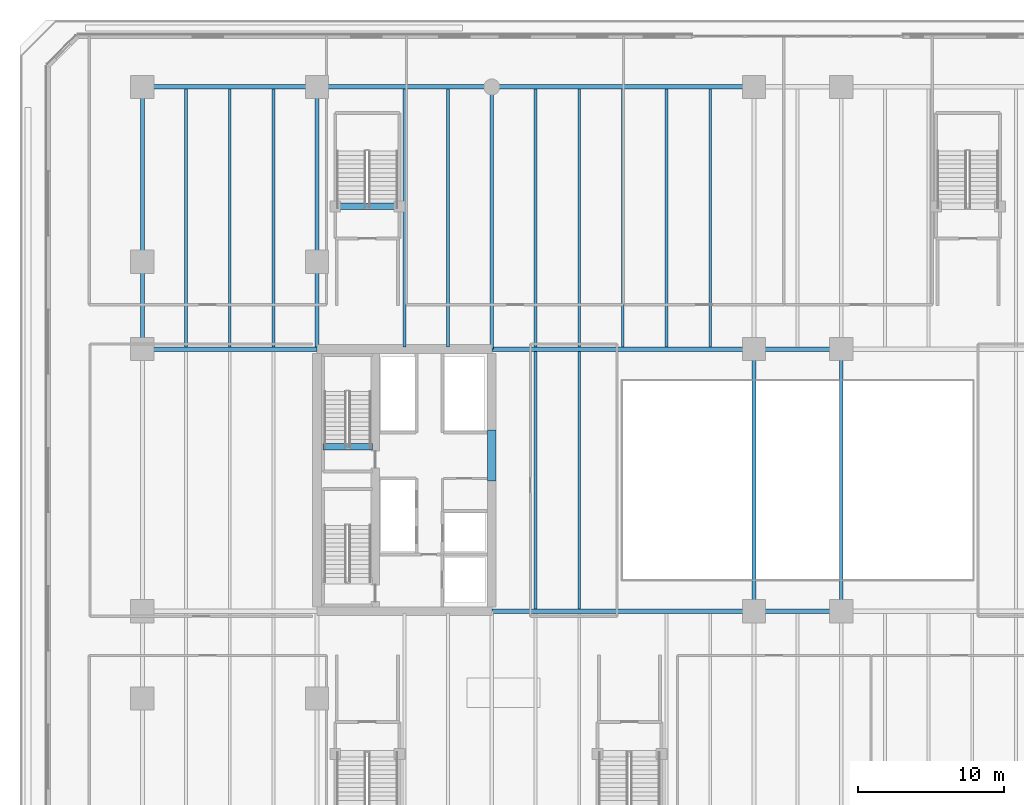
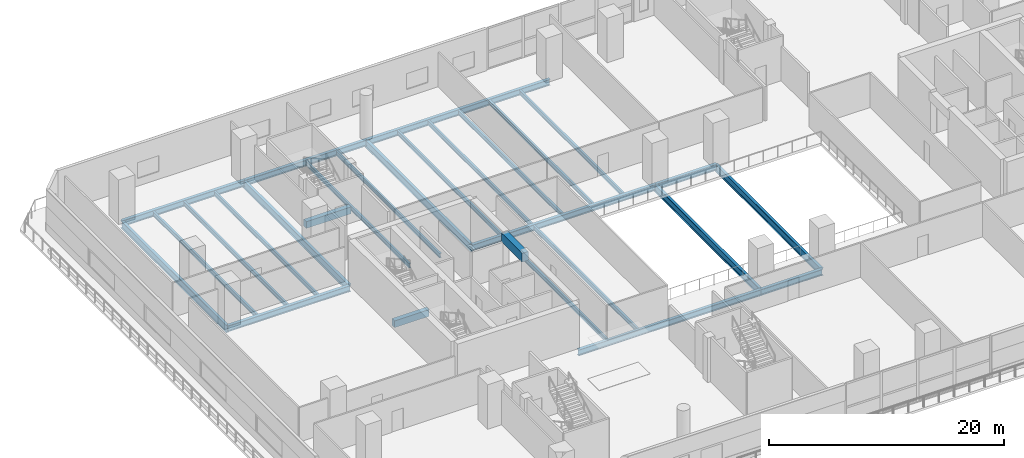
# One storey, part 5 of 27: 28 beams.
"""IFC4 building model written with IfcOpenShell, lengths in metres."""

import ifcopenshell
import ifcopenshell.guid

model = None  # the IFC model being written
_history = None  # IfcOwnerHistory: only IFC2X3 demands one
_inside = {}  # id of a spatial element -> (the spatial element, [elements in it])
_under = {}  # id of a project, library or spatial element -> (it, [spatial elements below it])
_declared = {}  # id of a project -> (the project, [libraries it declares])
_typed = {}  # id of a type object -> (the type object, [elements of that type])
_made_of = {}  # id of a material, layer set ... -> (it, [elements and type objects made of it])


def new_model(schema):
    """Start an empty IFC model of exactly this schema.

    Asked for "IFC4X3", IfcOpenShell would pick the latest addendum, in which some entities
    have other attributes; the version numbers below select the first issue.
    IFC2X3 requires an IfcOwnerHistory on every rooted entity: one is made here for all.
    """
    global model, _history
    if schema == "IFC4X3":
        model = ifcopenshell.file(schema_version=(4, 3, 0, 0))
    else:
        model = ifcopenshell.file(schema=schema)
    _inside.clear()
    _under.clear()
    _declared.clear()
    _typed.clear()
    _made_of.clear()
    _history = None
    if model.schema == "IFC2X3":
        org = make("IfcOrganization", Name="unknown")
        user = make(
            "IfcPersonAndOrganization",
            ThePerson=make("IfcPerson", FamilyName="unknown"),
            TheOrganization=org,
        )
        app = make(
            "IfcApplication",
            ApplicationDeveloper=org,
            Version="unknown",
            ApplicationFullName="unknown",
            ApplicationIdentifier="unknown",
        )
        _history = make(
            "IfcOwnerHistory",
            OwningUser=user,
            OwningApplication=app,
            ChangeAction="ADDED",
            CreationDate=0,
        )
    return model


def make(cls, **values):
    """One entity of the class cls with the attributes given. An attribute that is None is left unset."""
    return model.create_entity(
        cls, **{name: value for name, value in values.items() if value is not None}
    )


def rooted(cls, **values):
    """An entity with a GlobalId (a new one), such as an element, a storey or a relation."""
    return make(cls, GlobalId=ifcopenshell.guid.new(), OwnerHistory=_history, **values)


def si_unit(unit_type, name, prefix=None):
    """IfcSIUnit, for example si_unit("LENGTHUNIT", "METRE", prefix="MILLI")."""
    return make("IfcSIUnit", UnitType=unit_type, Prefix=prefix, Name=name)


def assignment(units):
    """IfcUnitAssignment: the units of a project."""
    return None if units is None else make("IfcUnitAssignment", Units=units)


def point(xyz):
    """IfcCartesianPoint."""
    return None if xyz is None else make("IfcCartesianPoint", Coordinates=xyz)


def direction(xyz):
    """IfcDirection."""
    return None if xyz is None else make("IfcDirection", DirectionRatios=xyz)


def frame(location, z_axis=None, x_axis=None):
    """IfcAxis2Placement3D, a coordinate frame: its origin and axes. An axis left out is left unset."""
    return make(
        "IfcAxis2Placement3D",
        Location=point(location),
        Axis=direction(z_axis),
        RefDirection=direction(x_axis),
    )


def frame_2d(location, x_axis=None):
    """IfcAxis2Placement2D, a coordinate frame in the plane: its origin and x axis."""
    return make(
        "IfcAxis2Placement2D", Location=point(location), RefDirection=direction(x_axis)
    )


def origin():
    """The frame at (0, 0, 0) with its axes left unset."""
    return frame((0.0, 0.0, 0.0))


def origin_2d():
    """The frame at (0, 0) in the plane with its x axis left unset."""
    return frame_2d((0.0, 0.0))


def place(relative_to, where):
    """IfcLocalPlacement: puts the frame where relative to a parent placement (None: the world)."""
    return make(
        "IfcLocalPlacement", PlacementRelTo=relative_to, RelativePlacement=where
    )


def context(
    kind, dimensions, precision=None, world=None, true_north=None, identifier=None
):
    """IfcGeometricRepresentationContext, for example the 3D "Model" context."""
    return make(
        "IfcGeometricRepresentationContext",
        ContextIdentifier=identifier,
        ContextType=kind,
        CoordinateSpaceDimension=dimensions,
        Precision=precision,
        WorldCoordinateSystem=world,
        TrueNorth=true_north,
    )


def subcontext(parent, identifier, kind, view, scale=None):
    """IfcGeometricRepresentationSubContext, for example "Body" below "Model"."""
    return make(
        "IfcGeometricRepresentationSubContext",
        ContextIdentifier=identifier,
        ContextType=kind,
        ParentContext=parent,
        TargetScale=scale,
        TargetView=view,
    )


def project(units=None, contexts=None):
    """IfcProject with its units and contexts."""
    return rooted(
        "IfcProject",
        Name="project",
        RepresentationContexts=contexts,
        UnitsInContext=assignment(units),
    )


def spatial(cls, under=None, at=None, **own):
    """A site, building, storey or space (cls), placed at a placement, below another one or the project."""
    s = rooted(cls, ObjectPlacement=at, **own)
    if under is not None:
        _under.setdefault(under.id(), (under, []))[1].append(s)
    return s


def profile(cls, at=None, kind="AREA", **sizes):
    """A parametric profile (cls). Its sizes go by their IFC names, for example OverallWidth=200.0."""
    return make(cls, ProfileType=kind, Position=at, **sizes)


def rectangle(**sizes):
    """IfcRectangleProfileDef."""
    return profile("IfcRectangleProfileDef", **sizes)


def i_section(**sizes):
    """IfcIShapeProfileDef."""
    return profile("IfcIShapeProfileDef", **sizes)


def extrude(swept, where, along, depth):
    """IfcExtrudedAreaSolid: the profile swept, set in the frame where, extruded along a direction by depth."""
    return make(
        "IfcExtrudedAreaSolid",
        SweptArea=swept,
        Position=where,
        ExtrudedDirection=direction(along),
        Depth=depth,
    )


def shape(context_of_items, identifier, shape_type, items):
    """IfcShapeRepresentation: the items that make up one representation, for example the "Body"."""
    return make(
        "IfcShapeRepresentation",
        ContextOfItems=context_of_items,
        RepresentationIdentifier=identifier,
        RepresentationType=shape_type,
        Items=items,
    )


def material(Name=None, Category=None):
    """IfcMaterial."""
    return make("IfcMaterial", Name=Name, Category=Category)


def material_profile(
    of_material, cross_section, Name=None, Category=None, Priority=None
):
    """IfcMaterialProfile: a cross section and its material."""
    return make(
        "IfcMaterialProfile",
        Name=Name,
        Material=of_material,
        Profile=cross_section,
        Priority=Priority,
        Category=Category,
    )


def profile_set(profiles, Name=None, composite=None):
    """IfcMaterialProfileSet."""
    return make(
        "IfcMaterialProfileSet",
        Name=Name,
        MaterialProfiles=profiles,
        CompositeProfile=composite,
    )


def made_of(thing, what):
    """Note that an element or type object is made of a material, layer set ...; save() writes the relation."""
    if what is not None:
        _made_of.setdefault(what.id(), (what, []))[1].append(thing)
    return thing


def type_object(cls, material=None, **own):
    """A type object (cls), such as IfcWallType, which elements share."""
    return made_of(rooted(cls, **own), material)


def element(
    cls,
    number,
    at=None,
    inside=None,
    cuts=None,
    type_object=None,
    material=None,
    context=None,
    identifier="Body",
    shape_type=None,
    held_by="IfcProductDefinitionShape",
    body=None,
    shapes=None,
    **own,
):
    """One element of the class cls, such as IfcWall. Its Tag is "e" and its number.

    at: its placement. inside: the storey or other place that contains it. cuts: it is an
    opening in that element (IfcRelVoidsElement). A single representation is given by context,
    identifier, shape_type and body (its items); several are given by shapes. held_by: the class
    of the entity that holds the representations. save() writes the other relations.
    """
    e = rooted(cls, Tag="e%d" % number, ObjectPlacement=at, **own)
    if body is not None:
        shapes = [shape(context, identifier, shape_type, body)]
    if shapes is not None:
        e.Representation = make(held_by, Representations=shapes)
    if inside is not None:
        _inside.setdefault(inside.id(), (inside, []))[1].append(e)
    if cuts is not None:
        rooted(
            "IfcRelVoidsElement", RelatingBuildingElement=cuts, RelatedOpeningElement=e
        )
    if type_object is not None:
        _typed.setdefault(type_object.id(), (type_object, []))[1].append(e)
    return made_of(e, material)


def aggregate(whole, parts):
    """IfcRelAggregates: a whole, such as a stair, and the parts it consists of."""
    return rooted("IfcRelAggregates", RelatingObject=whole, RelatedObjects=parts)


def save(model, path):
    """Write the relations noted so far, then the file.

    IfcRelAggregates (storeys below a building ...), IfcRelContainedInSpatialStructure (elements
    in a storey), IfcRelDefinesByType, IfcRelAssociatesMaterial and IfcRelDeclares: one each for
    every whole, place, type object, material and project.
    """
    for whole, parts in _under.values():
        aggregate(whole, parts)
    for where, things in _inside.values():
        rooted(
            "IfcRelContainedInSpatialStructure",
            RelatedElements=things,
            RelatingStructure=where,
        )
    for kind, things in _typed.values():
        rooted("IfcRelDefinesByType", RelatedObjects=things, RelatingType=kind)
    for what, things in _made_of.values():
        rooted("IfcRelAssociatesMaterial", RelatedObjects=things, RelatingMaterial=what)
    for by, libraries in _declared.values():
        rooted("IfcRelDeclares", RelatingContext=by, RelatedDefinitions=libraries)
    model.write(path)


model = new_model("IFC4")

# Units and contexts
model_context = context("Model", 3, precision=1e-05, world=origin(), true_north=direction((0.0, 1.0)))
body_context = subcontext(model_context, "Body", "Model", "MODEL_VIEW")
ifc_project = project(units=[si_unit("LENGTHUNIT", "METRE"), si_unit("AREAUNIT", "SQUARE_METRE"), si_unit("VOLUMEUNIT", "CUBIC_METRE"), si_unit("PLANEANGLEUNIT", "RADIAN"), si_unit("MASSUNIT", "GRAM", prefix="KILO")], contexts=[model_context])

# Site, building, storey
site_placement = place(None, origin())
site = spatial("IfcSite", under=ifc_project, at=site_placement, CompositionType="ELEMENT")
building_placement = place(site_placement, origin())
building = spatial("IfcBuilding", under=site, at=building_placement, Name="Tanjung Sevakor Pilgrim Tower", CompositionType="ELEMENT")
storey_placement = place(building_placement, frame((0.0, 0.0, 14.85009765625)))
storey = spatial("IfcBuildingStorey", under=building, at=storey_placement, Name="L04", CompositionType="ELEMENT", Elevation=14.85009765625)

# Beams
ifc_material_1 = material(Name="Steel S355J2", Category="steel")
ifc_material_profile_1 = material_profile(ifc_material_1, i_section(OverallWidth=0.26806640625, OverallDepth=0.769775390625, WebThickness=0.015625, FlangeThickness=0.025390625, FilletRadius=0.0166015625, at=origin_2d()))
ifc_profile_set_1 = profile_set([ifc_material_profile_1], Name="Steel S355J2")
beam_type_1 = type_object("IfcBeamType", Name="BM-B-G1-UB_762x267x197", PredefinedType="BEAM", material=ifc_profile_set_1)
for number, where, z_axis, x_axis, name in (
    (1, (12.0, 42.60009765625, -0.6650390625), (0.0, 1.0, 0.0), (-1.0, 0.0, 0.0), "L04 Podium Girder NS X12-3"),
    (2, (24.0, 42.60009765625, -0.6650390625), (0.0, 1.0, 0.0), (-1.0, 0.0, 0.0), "L04 Podium Girder NS X24-2"),
    (3, (36.0, 42.60009765625, -0.6650390625), (0.0, 1.0, 0.0), (-1.0, 0.0, 0.0), "L04 Podium Girder NS X36-2"),
    (4, (54.0, 24.60009765625, -0.6650390625), (0.0, 1.0, 0.0), (-1.0, 0.0, 0.0), "L04 Podium Girder NS X54-2"),
    (5, (60.0, 24.60009765625, -0.6650390625), (0.0, 1.0, 0.0), (-1.0, 0.0, 0.0), "L04 Podium Girder NS X60-2"),
):
    element("IfcBeam", number, at=place(storey_placement, frame(where, z_axis=z_axis, x_axis=x_axis)), inside=storey, type_object=beam_type_1, Name=name, PredefinedType="BEAM", context=body_context, shape_type="SweptSolid", body=[
        extrude(i_section(OverallWidth=0.26806640625, OverallDepth=0.769775390625, WebThickness=0.015625, FlangeThickness=0.025390625, FilletRadius=0.0166015625, at=origin_2d()), origin(), (0.0, 0.0, 1.0), 18.0),
    ])
ifc_material_2 = material(Name="Steel S355J2", Category="steel")
ifc_material_profile_2 = material_profile(ifc_material_2, i_section(OverallWidth=0.19140625, OverallDepth=0.4599609375, WebThickness=0.010009765625, FlangeThickness=0.01611328125, FilletRadius=0.01025390625, at=origin_2d()))
ifc_profile_set_2 = profile_set([ifc_material_profile_2], Name="Steel S355J2")
beam_type_2 = type_object("IfcBeamType", Name="BM-B-J2-UB_457x191x82", PredefinedType="JOIST", material=ifc_profile_set_2)
for number, where, z_axis, x_axis, name in (
    (6, (15.0, 42.75341796875, -0.510009765625), (0.0, 1.0, 0.0), (-1.0, 0.0, 0.0), "L04 Secondary Joist 003"),
    (7, (18.0, 42.75341796875, -0.510009765625), (0.0, 1.0, 0.0), (-1.0, 0.0, 0.0), "L04 Secondary Joist 006"),
    (8, (21.0, 42.75341796875, -0.510009765625), (0.0, 1.0, 0.0), (-1.0, 0.0, 0.0), "L04 Secondary Joist 009"),
    (9, (30.0, 42.75341796875, -0.510009765625), (0.0, 1.0, 0.0), (-1.0, 0.0, 0.0), "L04 Secondary Joist 011"),
    (10, (33.0, 42.75341796875, -0.510009765625), (0.0, 1.0, 0.0), (-1.0, 0.0, 0.0), "L04 Secondary Joist 013"),
    (11, (39.0, 24.75341796875, -0.510009765625), (0.0, 1.0, 0.0), (-1.0, 0.0, 0.0), "L04 Secondary Joist 015"),
    (12, (39.0, 42.75341796875, -0.510009765625), (0.0, 1.0, 0.0), (-1.0, 0.0, 0.0), "L04 Secondary Joist 016"),
    (13, (42.0, 24.75341796875, -0.510009765625), (0.0, 1.0, 0.0), (-1.0, 0.0, 0.0), "L04 Secondary Joist 018"),
    (14, (42.0, 42.75341796875, -0.510009765625), (0.0, 1.0, 0.0), (-1.0, 0.0, 0.0), "L04 Secondary Joist 019"),
    (15, (45.0, 42.75341796875, -0.510009765625), (0.0, 1.0, 0.0), (-1.0, 0.0, 0.0), "L04 Secondary Joist 020"),
    (16, (48.0, 42.75341796875, -0.510009765625), (0.0, 1.0, 0.0), (-1.0, 0.0, 0.0), "L04 Secondary Joist 022"),
    (17, (51.0, 42.75341796875, -0.510009765625), (0.0, 1.0, 0.0), (-1.0, 0.0, 0.0), "L04 Secondary Joist 024"),
):
    element("IfcBeam", number, at=place(storey_placement, frame(where, z_axis=z_axis, x_axis=x_axis)), inside=storey, type_object=beam_type_2, Name=name, PredefinedType="JOIST", context=body_context, shape_type="SweptSolid", body=[
        extrude(i_section(OverallWidth=0.19140625, OverallDepth=0.4599609375, WebThickness=0.010009765625, FlangeThickness=0.01611328125, FilletRadius=0.01025390625, at=origin_2d()), origin(), (0.0, 0.0, 1.0), 17.693115234375),
    ])
ifc_material_3 = material(Name="Concrete C60/75", Category="concrete")
ifc_material_profile_3 = material_profile(ifc_material_3, rectangle(XDim=0.60009765625, YDim=0.89990234375, at=origin_2d()))
ifc_profile_set_3 = profile_set([ifc_material_profile_3], Name="Concrete C60/75")
beam_type_3 = type_object("IfcBeamType", Name="BM-B-LN1-RC-BM_600x900", PredefinedType="LINTEL", material=ifc_profile_set_3)
beam_1_placement = place(storey_placement, frame((36.0, 33.550048828125, 3.889892578125), z_axis=(0.0, 1.0, 0.0), x_axis=(-1.0, 0.0, 0.0)))
element("IfcBeam", 18, at=beam_1_placement, inside=storey, type_object=beam_type_3, Name="L04 W Core Coupling Lintel", PredefinedType="LINTEL", context=body_context, shape_type="SweptSolid", body=[
    extrude(rectangle(XDim=0.60009765625, YDim=0.89990234375, at=origin_2d()), origin(), (0.0, 0.0, 1.0), 3.5),
])
ifc_material_4 = material(Name="Concrete C60/75", Category="concrete")
ifc_material_profile_4 = material_profile(ifc_material_4, rectangle(XDim=0.449951171875, YDim=0.699951171875, at=origin_2d()))
ifc_profile_set_4 = profile_set([ifc_material_profile_4], Name="Concrete C60/75")
beam_type_4 = type_object("IfcBeamType", Name="BM-B-LN3-RC-BM_450x700", PredefinedType="LINTEL", material=ifc_profile_set_4)
beam_2_placement = place(storey_placement, frame((24.39990234375, 35.89990234375, -0.35009765625), z_axis=(1.0, 0.0, 0.0), x_axis=(0.0, 1.0, 0.0)))
element("IfcBeam", 19, at=beam_2_placement, inside=storey, type_object=beam_type_4, Name="L04 TS-W2 Stair Threshold Beam", PredefinedType="LINTEL", context=body_context, shape_type="SweptSolid", body=[
    extrude(rectangle(XDim=0.449951171875, YDim=0.699951171875, at=origin_2d()), origin(), (0.0, 0.0, 1.0), 3.400146484375),
])
beam_3_placement = place(storey_placement, frame((25.25, 52.39990234375, -0.35009765625), z_axis=(1.0, 0.0, 0.0), x_axis=(0.0, 1.0, 0.0)))
element("IfcBeam", 20, at=beam_3_placement, inside=storey, type_object=beam_type_4, Name="L04 PS-2 Stair Threshold Beam", PredefinedType="LINTEL", context=body_context, shape_type="SweptSolid", body=[
    extrude(rectangle(XDim=0.449951171875, YDim=0.699951171875, at=origin_2d()), origin(), (0.0, 0.0, 1.0), 4.39990234375),
])
ifc_material_5 = material(Name="Steel S355J2", Category="steel")
ifc_material_profile_5 = material_profile(ifc_material_5, i_section(OverallWidth=0.30712890625, OverallDepth=0.6201171875, WebThickness=0.01416015625, FlangeThickness=0.023681640625, FilletRadius=0.0166015625, at=origin_2d()))
ifc_profile_set_5 = profile_set([ifc_material_profile_5], Name="Steel S355J2")
beam_type_5 = type_object("IfcBeamType", Name="BM-B-POD5-UB_610x305x179", PredefinedType="BEAM", material=ifc_profile_set_5)
beam_4_placement = place(storey_placement, frame((36.0, 24.60009765625, -0.590087890625), z_axis=(1.0, 0.0, 0.0), x_axis=(0.0, 1.0, 0.0)))
element("IfcBeam", 21, at=beam_4_placement, inside=storey, type_object=beam_type_5, Name="L04 Podium Girder EW Y24.6-2", PredefinedType="BEAM", context=body_context, shape_type="SweptSolid", body=[
    extrude(i_section(OverallWidth=0.30712890625, OverallDepth=0.6201171875, WebThickness=0.01416015625, FlangeThickness=0.023681640625, FilletRadius=0.0166015625, at=origin_2d()), origin(), (0.0, 0.0, 1.0), 18.0),
])
beam_5_placement = place(storey_placement, frame((54.0, 24.60009765625, -0.590087890625), z_axis=(1.0, 0.0, 0.0), x_axis=(0.0, 1.0, 0.0)))
element("IfcBeam", 22, at=beam_5_placement, inside=storey, type_object=beam_type_5, Name="L04 Podium Girder EW Y24.6-3", PredefinedType="BEAM", context=body_context, shape_type="SweptSolid", body=[
    extrude(i_section(OverallWidth=0.30712890625, OverallDepth=0.6201171875, WebThickness=0.01416015625, FlangeThickness=0.023681640625, FilletRadius=0.0166015625, at=origin_2d()), origin(), (0.0, 0.0, 1.0), 6.0),
])
beam_6_placement = place(storey_placement, frame((12.0, 42.60009765625, -0.590087890625), z_axis=(1.0, 0.0, 0.0), x_axis=(0.0, 1.0, 0.0)))
element("IfcBeam", 23, at=beam_6_placement, inside=storey, type_object=beam_type_5, Name="L04 Podium Girder EW Y42.6-1", PredefinedType="BEAM", context=body_context, shape_type="SweptSolid", body=[
    extrude(i_section(OverallWidth=0.30712890625, OverallDepth=0.6201171875, WebThickness=0.01416015625, FlangeThickness=0.023681640625, FilletRadius=0.0166015625, at=origin_2d()), origin(), (0.0, 0.0, 1.0), 12.0),
])
beam_7_placement = place(storey_placement, frame((36.0, 42.60009765625, -0.590087890625), z_axis=(1.0, 0.0, 0.0), x_axis=(0.0, 1.0, 0.0)))
element("IfcBeam", 24, at=beam_7_placement, inside=storey, type_object=beam_type_5, Name="L04 Podium Girder EW Y42.6-2", PredefinedType="BEAM", context=body_context, shape_type="SweptSolid", body=[
    extrude(i_section(OverallWidth=0.30712890625, OverallDepth=0.6201171875, WebThickness=0.01416015625, FlangeThickness=0.023681640625, FilletRadius=0.0166015625, at=origin_2d()), origin(), (0.0, 0.0, 1.0), 18.0),
])
beam_8_placement = place(storey_placement, frame((54.0, 42.60009765625, -0.590087890625), z_axis=(1.0, 0.0, 0.0), x_axis=(0.0, 1.0, 0.0)))
element("IfcBeam", 25, at=beam_8_placement, inside=storey, type_object=beam_type_5, Name="L04 Podium Girder EW Y42.6-3", PredefinedType="BEAM", context=body_context, shape_type="SweptSolid", body=[
    extrude(i_section(OverallWidth=0.30712890625, OverallDepth=0.6201171875, WebThickness=0.01416015625, FlangeThickness=0.023681640625, FilletRadius=0.0166015625, at=origin_2d()), origin(), (0.0, 0.0, 1.0), 6.0),
])
for number, where, z_axis, x_axis, name in (
    (26, (12.0, 60.60009765625, -0.590087890625), (1.0, 0.0, 0.0), (0.0, 1.0, 0.0), "L04 Podium Girder EW Y60.6-1"),
    (27, (24.0, 60.60009765625, -0.590087890625), (1.0, 0.0, 0.0), (0.0, 1.0, 0.0), "L04 Podium Girder EW Y60.6-2"),
):
    element("IfcBeam", number, at=place(storey_placement, frame(where, z_axis=z_axis, x_axis=x_axis)), inside=storey, type_object=beam_type_5, Name=name, PredefinedType="BEAM", context=body_context, shape_type="SweptSolid", body=[
        extrude(i_section(OverallWidth=0.30712890625, OverallDepth=0.6201171875, WebThickness=0.01416015625, FlangeThickness=0.023681640625, FilletRadius=0.0166015625, at=origin_2d()), origin(), (0.0, 0.0, 1.0), 12.0),
    ])
beam_9_placement = place(storey_placement, frame((36.0, 60.60009765625, -0.590087890625), z_axis=(1.0, 0.0, 0.0), x_axis=(0.0, 1.0, 0.0)))
element("IfcBeam", 28, at=beam_9_placement, inside=storey, type_object=beam_type_5, Name="L04 Podium Girder EW Y60.6-3", PredefinedType="BEAM", context=body_context, shape_type="SweptSolid", body=[
    extrude(i_section(OverallWidth=0.30712890625, OverallDepth=0.6201171875, WebThickness=0.01416015625, FlangeThickness=0.023681640625, FilletRadius=0.0166015625, at=origin_2d()), origin(), (0.0, 0.0, 1.0), 18.0),
])

save(model, "model.ifc")
